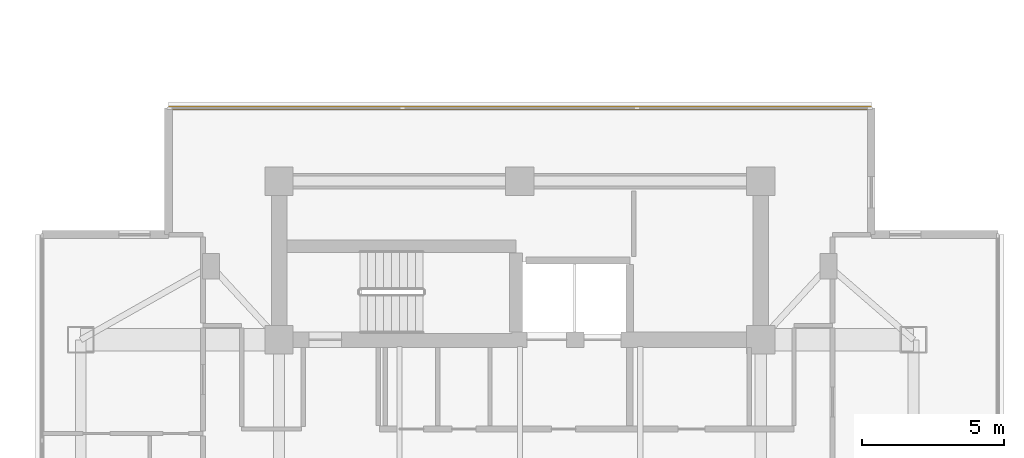
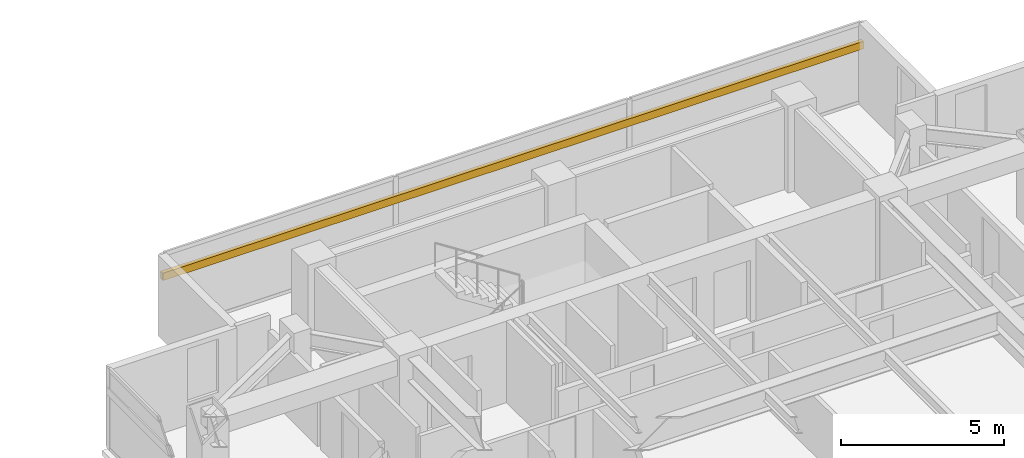
# One storey, part 24 of 24: 1 shading device.
"""IFC4 building model written with IfcOpenShell, lengths in metres."""

from ifc_helpers import new_model, si_unit, direction, frame, origin, origin_2d, place, context, subcontext, project, spatial, rectangle, extrude, material, material_profile, profile_set, type_object, element, save


model = new_model("IFC4")

# Units and contexts
model_context = context("Model", 3, precision=1e-05, world=origin(), true_north=direction((0.0, 1.0)))
body_context = subcontext(model_context, "Body", "Model", "MODEL_VIEW")
ifc_project = project(units=[si_unit("LENGTHUNIT", "METRE"), si_unit("AREAUNIT", "SQUARE_METRE"), si_unit("VOLUMEUNIT", "CUBIC_METRE"), si_unit("PLANEANGLEUNIT", "RADIAN"), si_unit("MASSUNIT", "GRAM", prefix="KILO")], contexts=[model_context])

# Site, building, storey
site_placement = place(None, origin())
site = spatial("IfcSite", under=ifc_project, at=site_placement, CompositionType="ELEMENT")
building_placement = place(site_placement, origin())
building = spatial("IfcBuilding", under=site, at=building_placement, Name="Mirazonda Arch Towers", CompositionType="ELEMENT")
storey_placement = place(building_placement, frame((0.0, 0.0, 157.64990234375)))
storey = spatial("IfcBuildingStorey", under=building, at=storey_placement, Name="L44", CompositionType="ELEMENT", Elevation=157.64990234375)

# Shading device
ifc_material = material(Name="Kiln-Fired Architectural Terracotta", Category="masonry")
ifc_material_profile = material_profile(ifc_material, rectangle(XDim=0.139892578125, YDim=0.280029296875, at=origin_2d()), Name="TERRA-BAG-140x280")
ifc_profile_set = profile_set([ifc_material_profile], Name="Kiln-Fired Architectural Terracotta")
shading_device_type = type_object("IfcShadingDeviceType", Name="BAGUETTE-3", PredefinedType="USERDEFINED", material=ifc_profile_set)
shading_device_placement = place(storey_placement, frame((64.0947265625, 43.374755859375, 2.181640625), z_axis=(1.0, 0.0, 0.0), x_axis=(0.0, 1.0, 0.0)))
element("IfcShadingDevice", 1, at=shading_device_placement, inside=storey, type_object=shading_device_type, Name="L44 Glazed Terracotta Sun-Screen Baguette CW-L44-T2-N", ObjectType="BAGUETTE", PredefinedType="USERDEFINED", context=body_context, shape_type="SweptSolid", body=[
    extrude(rectangle(XDim=0.139892578125, YDim=0.280029296875, at=origin_2d()), origin(), (0.0, 0.0, 1.0), 24.810546875),
])

save(model, "model.ifc")
